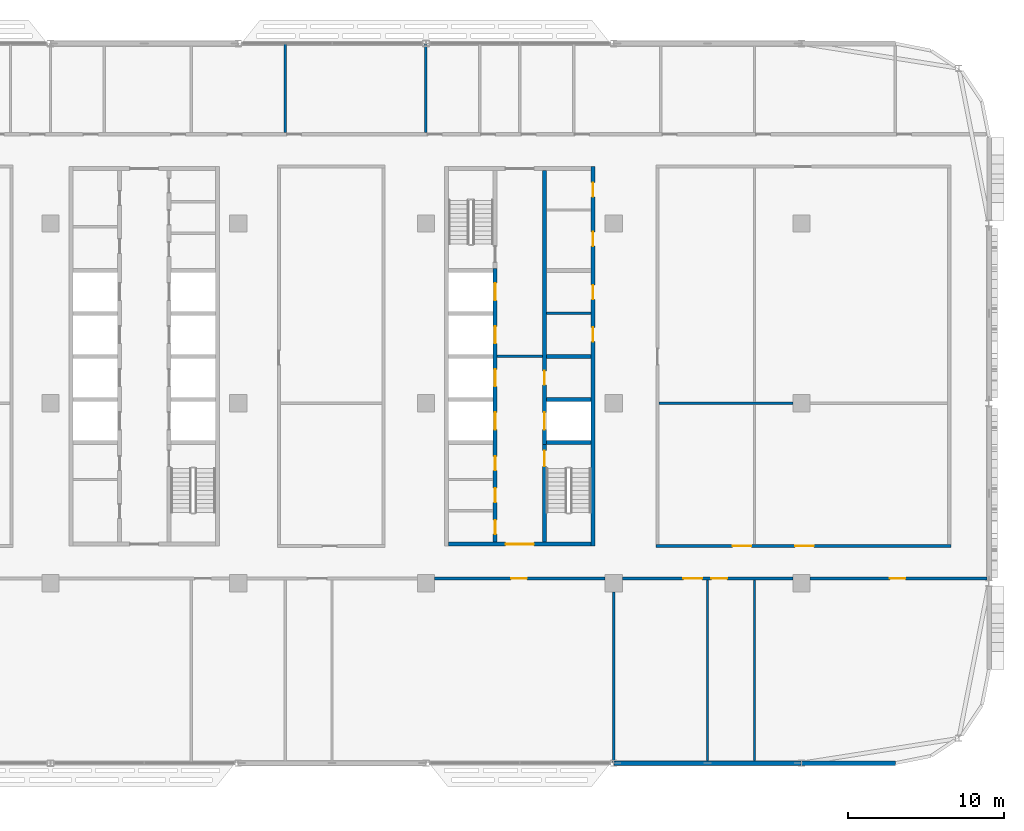
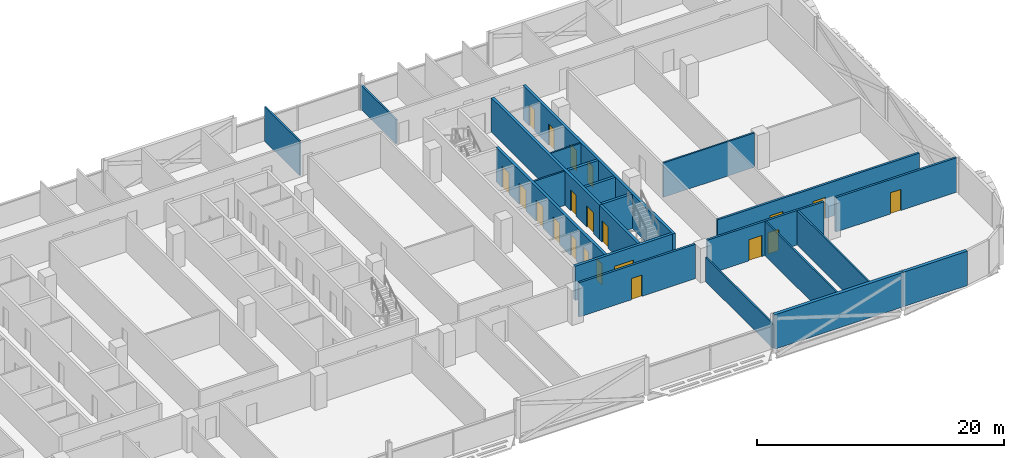
# One storey, part 17 of 30: 22 walls, 21 doors, 21 openings.
"""IFC4 building model written with IfcOpenShell, lengths in metres."""

from ifc_helpers import new_model, si_unit, direction, frame, frame_2d, origin, place, context, subcontext, project, spatial, rectangle, extrude, material, layer, layer_set, type_object, element, fill, save


model = new_model("IFC4")

# Units and contexts
model_context = context("Model", 3, precision=1e-05, world=origin(), true_north=direction((0.0, 1.0)))
body_context = subcontext(model_context, "Body", "Model", "MODEL_VIEW")
ifc_project = project(units=[si_unit("LENGTHUNIT", "METRE"), si_unit("AREAUNIT", "SQUARE_METRE"), si_unit("VOLUMEUNIT", "CUBIC_METRE"), si_unit("PLANEANGLEUNIT", "RADIAN"), si_unit("MASSUNIT", "GRAM", prefix="KILO")], contexts=[model_context])

# Site, building, storey
site_placement = place(None, origin())
site = spatial("IfcSite", under=ifc_project, at=site_placement, CompositionType="ELEMENT")
building_placement = place(site_placement, origin())
building = spatial("IfcBuilding", under=site, at=building_placement, Name="Mahtab Terrace Research Tower", CompositionType="ELEMENT")
storey_placement = place(building_placement, frame((0.0, 0.0, 220.5)))
storey = spatial("IfcBuildingStorey", under=building, at=storey_placement, Name="L53", CompositionType="ELEMENT", Elevation=220.5)

# Walls
ifc_material_1 = material(Name="Gypsum board partition")
ifc_layer_1 = layer(ifc_material_1, 0.14990234375)
ifc_layer_set_1 = layer_set([ifc_layer_1], Name="Core partition 150")
wall_type_1 = type_object("IfcWallType", Name="Core partition 150", PredefinedType="PARTITIONING", material=ifc_layer_set_1)
wall_1_placement = place(storey_placement, frame((22.550048828125, 3.0, 0.0), z_axis=(0.0, 0.0, 1.0), x_axis=(1.0, 0.0, 0.0)))
element("IfcWall", 1, at=wall_1_placement, inside=storey, type_object=wall_type_1, Name="Core wall C ffl", PredefinedType="PARTITIONING", context=body_context, shape_type="SweptSolid", body=[
    extrude(rectangle(XDim=2.89990234375, YDim=0.14990234375, at=frame_2d((1.449951171875, 0.0))), origin(), (0.0, 0.0, 1.0), 3.39990234375),
])
wall_2_placement = place(storey_placement, frame((25.699951171875, 5.75, 0.0), z_axis=(0.0, 0.0, 1.0), x_axis=(1.0, 0.0, 0.0)))
element("IfcWall", 2, at=wall_2_placement, inside=storey, type_object=wall_type_1, Name="Core wall C pEL275", PredefinedType="PARTITIONING", context=body_context, shape_type="SweptSolid", body=[
    extrude(rectangle(XDim=2.85009765625, YDim=0.14990234375, at=frame_2d((1.425048828125, 0.0))), origin(), (0.0, 0.0, 1.0), 3.39990234375),
])

# Wall, openings, doors
ifc_material_2 = material(Name="Concrete C70/85", Category="concrete")
ifc_layer_2 = layer(ifc_material_2, 0.25)
ifc_layer_set_2 = layer_set([ifc_layer_2], Name="Core wall 250")
wall_type_2 = type_object("IfcWallType", Name="Core wall 250", PredefinedType="SOLIDWALL", material=ifc_layer_set_2)
wall_3_placement = place(storey_placement, frame((28.675048828125, -9.125, 0.0), z_axis=(0.0, 0.0, 1.0), x_axis=(0.0, 1.0, 0.0)))
wall_3 = element("IfcWall", 3, at=wall_3_placement, inside=storey, type_object=wall_type_2, Name="Core wall C outerE", PredefinedType="SOLIDWALL", context=body_context, shape_type="SweptSolid", body=[
    extrude(rectangle(XDim=24.25, YDim=0.25, at=frame_2d((12.125, 0.0))), origin(), (0.0, 0.0, 1.0), 3.39990234375),
])
opening_1_placement = place(wall_3_placement, frame((13.074951171875, 0.0, 0.0)))
opening_1 = element("IfcOpeningElement", 4, at=opening_1_placement, cuts=wall_3, Name="Opening C-R2", PredefinedType="OPENING", context=body_context, shape_type="SweptSolid", body=[
    extrude(rectangle(XDim=0.89990234375, YDim=2.10009765625, at=frame_2d((0.449951171875, 1.050048828125))), frame((0.0, 0.135009765625, 0.0), z_axis=(0.0, -1.0, 0.0), x_axis=(1.0, 0.0, 0.0)), (0.0, 0.0, 1.0), 0.27001953125),
])
opening_2_placement = place(wall_3_placement, frame((15.77490234375, 0.0, 0.0)))
opening_2 = element("IfcOpeningElement", 5, at=opening_2_placement, cuts=wall_3, Name="Opening C-R3", PredefinedType="OPENING", context=body_context, shape_type="SweptSolid", body=[
    extrude(rectangle(XDim=0.89990234375, YDim=2.10009765625, at=frame_2d((0.449951171875, 1.050048828125))), frame((0.0, 0.135009765625, 0.0), z_axis=(0.0, -1.0, 0.0), x_axis=(1.0, 0.0, 0.0)), (0.0, 0.0, 1.0), 0.27001953125),
])
opening_3_placement = place(wall_3_placement, frame((19.175048828125, 0.0, 0.0)))
opening_3 = element("IfcOpeningElement", 6, at=opening_3_placement, cuts=wall_3, Name="Opening C-R7", PredefinedType="OPENING", context=body_context, shape_type="SweptSolid", body=[
    extrude(rectangle(XDim=0.89990234375, YDim=2.10009765625, at=frame_2d((0.449951171875, 1.050048828125))), frame((0.0, 0.135009765625, 0.0), z_axis=(0.0, -1.0, 0.0), x_axis=(1.0, 0.0, 0.0)), (0.0, 0.0, 1.0), 0.27001953125),
])
opening_4_placement = place(wall_3_placement, frame((22.327392578125, 0.0, 0.0)))
opening_4 = element("IfcOpeningElement", 7, at=opening_4_placement, cuts=wall_3, Name="Opening C-R8", PredefinedType="OPENING", context=body_context, shape_type="SweptSolid", body=[
    extrude(rectangle(XDim=0.89990234375, YDim=2.10009765625, at=frame_2d((0.449951171875, 1.050048828125))), frame((0.0, 0.135009765625, 0.0), z_axis=(0.0, -1.0, 0.0), x_axis=(1.0, 0.0, 0.0)), (0.0, 0.0, 1.0), 0.27001953125),
])
ifc_material_3 = material(Name="Steel fire door", Category="steel")
door_type_1 = type_object("IfcDoorType", Name="Room door 900x2100 1 HR", OperationType="NOTDEFINED", PredefinedType="DOOR", material=ifc_material_3)
door_1_placement = place(opening_1_placement, origin())
door_1 = element("IfcDoor", 8, at=door_1_placement, inside=storey, type_object=door_type_1, Name="Document store door", OperationType="SINGLE_SWING_RIGHT", OverallHeight=2.10009765625, OverallWidth=0.89990234375, PredefinedType="DOOR", context=body_context, shape_type="SweptSolid", body=[
    extrude(rectangle(XDim=0.89990234375, YDim=2.10009765625, at=frame_2d((0.449951171875, 1.050048828125))), frame((0.0, 0.02490234375, 0.0), z_axis=(0.0, -1.0, 0.0), x_axis=(1.0, 0.0, 0.0)), (0.0, 0.0, 1.0), 0.050048828125),
])
fill(opening_1, door_1)
door_2_placement = place(opening_2_placement, origin())
door_2 = element("IfcDoor", 9, at=door_2_placement, inside=storey, type_object=door_type_1, Name="IT equipment room door", OperationType="SINGLE_SWING_LEFT", OverallHeight=2.10009765625, OverallWidth=0.89990234375, PredefinedType="DOOR", context=body_context, shape_type="SweptSolid", body=[
    extrude(rectangle(XDim=0.89990234375, YDim=2.10009765625, at=frame_2d((0.449951171875, 1.050048828125))), frame((0.0, 0.02490234375, 0.0), z_axis=(0.0, -1.0, 0.0), x_axis=(1.0, 0.0, 0.0)), (0.0, 0.0, 1.0), 0.050048828125),
])
fill(opening_2, door_2)
door_3_placement = place(opening_3_placement, origin())
door_3 = element("IfcDoor", 10, at=door_3_placement, inside=storey, type_object=door_type_1, Name="Pantry door", OperationType="SINGLE_SWING_LEFT", OverallHeight=2.10009765625, OverallWidth=0.89990234375, PredefinedType="DOOR", context=body_context, shape_type="SweptSolid", body=[
    extrude(rectangle(XDim=0.89990234375, YDim=2.10009765625, at=frame_2d((0.449951171875, 1.050048828125))), frame((0.0, 0.02490234375, 0.0), z_axis=(0.0, -1.0, 0.0), x_axis=(1.0, 0.0, 0.0)), (0.0, 0.0, 1.0), 0.050048828125),
])
fill(opening_3, door_3)
door_4_placement = place(opening_4_placement, origin())
door_4 = element("IfcDoor", 11, at=door_4_placement, inside=storey, type_object=door_type_1, Name="Linen store door", OperationType="SINGLE_SWING_RIGHT", OverallHeight=2.10009765625, OverallWidth=0.89990234375, PredefinedType="DOOR", context=body_context, shape_type="SweptSolid", body=[
    extrude(rectangle(XDim=0.89990234375, YDim=2.10009765625, at=frame_2d((0.449951171875, 1.050048828125))), frame((0.0, 0.02490234375, 0.0), z_axis=(0.0, -1.0, 0.0), x_axis=(1.0, 0.0, 0.0)), (0.0, 0.0, 1.0), 0.050048828125),
])
fill(opening_4, door_4)

# Wall, opening, door
wall_4_placement = place(storey_placement, frame((28.550048828125, -9.0, 0.0), z_axis=(0.0, 0.0, 1.0), x_axis=(-1.0, 0.0, 0.0)))
wall_4 = element("IfcWall", 12, at=wall_4_placement, inside=storey, type_object=wall_type_2, Name="Core wall C endS", PredefinedType="SOLIDWALL", context=body_context, shape_type="SweptSolid", body=[
    extrude(rectangle(XDim=9.10009765625, YDim=0.25, at=frame_2d((4.550048828125, 0.0))), origin(), (0.0, 0.0, 1.0), 3.39990234375),
])
opening_5_placement = place(wall_4_placement, frame((3.64990234375, 0.0, 0.0)))
opening_5 = element("IfcOpeningElement", 13, at=opening_5_placement, cuts=wall_4, Name="Opening C-S1", PredefinedType="OPENING", context=body_context, shape_type="SweptSolid", body=[
    extrude(rectangle(XDim=1.800048828125, YDim=2.10009765625, at=frame_2d((0.89990234375, 1.050048828125))), frame((0.0, 0.135009765625, 0.0), z_axis=(0.0, -1.0, 0.0), x_axis=(1.0, 0.0, 0.0)), (0.0, 0.0, 1.0), 0.27001953125),
])
door_type_2 = type_object("IfcDoorType", Name="Lobby double door 1800x2100 1 HR", OperationType="DOUBLE_DOOR_SINGLE_SWING", PredefinedType="DOOR", material=ifc_material_3)
door_5_placement = place(opening_5_placement, origin())
door_5 = element("IfcDoor", 14, at=door_5_placement, inside=storey, type_object=door_type_2, Name="Core entrance door C S", OperationType="DOUBLE_DOOR_SINGLE_SWING", OverallHeight=2.10009765625, OverallWidth=1.800048828125, PredefinedType="DOOR", context=body_context, shape_type="SweptSolid", body=[
    extrude(rectangle(XDim=1.800048828125, YDim=2.10009765625, at=frame_2d((0.89990234375, 1.050048828125))), frame((0.0, 0.02490234375, 0.0), z_axis=(0.0, -1.0, 0.0), x_axis=(1.0, 0.0, 0.0)), (0.0, 0.0, 1.0), 0.050048828125),
])
fill(opening_5, door_5)

# Wall, openings, doors
wall_5_placement = place(storey_placement, frame((22.425048828125, -8.875, 0.0), z_axis=(0.0, 0.0, 1.0), x_axis=(0.0, 1.0, 0.0)))
wall_5 = element("IfcWall", 15, at=wall_5_placement, inside=storey, type_object=wall_type_2, Name="Core wall C innerWSL", PredefinedType="SOLIDWALL", context=body_context, shape_type="SweptSolid", body=[
    extrude(rectangle(XDim=17.5, YDim=0.25, at=frame_2d((8.75, 0.0))), origin(), (0.0, 0.0, 1.0), 3.39990234375),
])
opening_6_placement = place(wall_5_placement, frame((7.199951171875, 0.0, 0.0)))
opening_6 = element("IfcOpeningElement", 16, at=opening_6_placement, cuts=wall_5, Name="Opening LD17-L53", PredefinedType="OPENING", context=body_context, shape_type="SweptSolid", body=[
    extrude(rectangle(XDim=1.10009765625, YDim=2.10009765625, at=frame_2d((0.550048828125, 1.050048828125))), frame((0.0, 0.135009765625, 0.0), z_axis=(0.0, -1.0, 0.0), x_axis=(1.0, 0.0, 0.0)), (0.0, 0.0, 1.0), 0.27001953125),
])
opening_7_placement = place(wall_5_placement, frame((9.949951171875, 0.0, 0.0)))
opening_7 = element("IfcOpeningElement", 17, at=opening_7_placement, cuts=wall_5, Name="Opening LD18-L53", PredefinedType="OPENING", context=body_context, shape_type="SweptSolid", body=[
    extrude(rectangle(XDim=1.10009765625, YDim=2.10009765625, at=frame_2d((0.550048828125, 1.050048828125))), frame((0.0, 0.135009765625, 0.0), z_axis=(0.0, -1.0, 0.0), x_axis=(1.0, 0.0, 0.0)), (0.0, 0.0, 1.0), 0.27001953125),
])
opening_8_placement = place(wall_5_placement, frame((12.699951171875, 0.0, 0.0)))
opening_8 = element("IfcOpeningElement", 18, at=opening_8_placement, cuts=wall_5, Name="Opening LD19-L53", PredefinedType="OPENING", context=body_context, shape_type="SweptSolid", body=[
    extrude(rectangle(XDim=1.10009765625, YDim=2.10009765625, at=frame_2d((0.550048828125, 1.050048828125))), frame((0.0, 0.135009765625, 0.0), z_axis=(0.0, -1.0, 0.0), x_axis=(1.0, 0.0, 0.0)), (0.0, 0.0, 1.0), 0.27001953125),
])
opening_9_placement = place(wall_5_placement, frame((15.449951171875, 0.0, 0.0)))
opening_9 = element("IfcOpeningElement", 19, at=opening_9_placement, cuts=wall_5, Name="Opening LD20-L53", PredefinedType="OPENING", context=body_context, shape_type="SweptSolid", body=[
    extrude(rectangle(XDim=1.10009765625, YDim=2.10009765625, at=frame_2d((0.550048828125, 1.050048828125))), frame((0.0, 0.135009765625, 0.0), z_axis=(0.0, -1.0, 0.0), x_axis=(1.0, 0.0, 0.0)), (0.0, 0.0, 1.0), 0.27001953125),
])
opening_10_placement = place(wall_5_placement, frame((0.512451171875, 0.0, 0.0)))
opening_10 = element("IfcOpeningElement", 20, at=opening_10_placement, cuts=wall_5, Name="Opening C-R4", PredefinedType="OPENING", context=body_context, shape_type="SweptSolid", body=[
    extrude(rectangle(XDim=0.89990234375, YDim=2.10009765625, at=frame_2d((0.449951171875, 1.050048828125))), frame((0.0, 0.135009765625, 0.0), z_axis=(0.0, -1.0, 0.0), x_axis=(1.0, 0.0, 0.0)), (0.0, 0.0, 1.0), 0.27001953125),
])
opening_11_placement = place(wall_5_placement, frame((2.550048828125, 0.0, 0.0)))
opening_11 = element("IfcOpeningElement", 21, at=opening_11_placement, cuts=wall_5, Name="Opening C-R5", PredefinedType="OPENING", context=body_context, shape_type="SweptSolid", body=[
    extrude(rectangle(XDim=0.89990234375, YDim=2.10009765625, at=frame_2d((0.449951171875, 1.050048828125))), frame((0.0, 0.135009765625, 0.0), z_axis=(0.0, -1.0, 0.0), x_axis=(1.0, 0.0, 0.0)), (0.0, 0.0, 1.0), 0.27001953125),
])
opening_12_placement = place(wall_5_placement, frame((4.58740234375, 0.0, 0.0)))
opening_12 = element("IfcOpeningElement", 22, at=opening_12_placement, cuts=wall_5, Name="Opening C-R6", PredefinedType="OPENING", context=body_context, shape_type="SweptSolid", body=[
    extrude(rectangle(XDim=0.89990234375, YDim=2.10009765625, at=frame_2d((0.449951171875, 1.050048828125))), frame((0.0, 0.135009765625, 0.0), z_axis=(0.0, -1.0, 0.0), x_axis=(1.0, 0.0, 0.0)), (0.0, 0.0, 1.0), 0.27001953125),
])
ifc_material_4 = material(Name="Stainless steel AISI 304", Category="steel")
door_type_3 = type_object("IfcDoorType", Name="Landing door 1100x2100", OperationType="DOUBLE_DOOR_SLIDING", PredefinedType="DOOR", material=ifc_material_4)
door_6_placement = place(opening_6_placement, origin())
door_6 = element("IfcDoor", 23, at=door_6_placement, inside=storey, type_object=door_type_3, Name="Landing door SV1 L53", OperationType="DOUBLE_DOOR_SLIDING", OverallHeight=2.10009765625, OverallWidth=1.10009765625, PredefinedType="DOOR", context=body_context, shape_type="SweptSolid", body=[
    extrude(rectangle(XDim=1.10009765625, YDim=2.10009765625, at=frame_2d((0.550048828125, 1.050048828125))), frame((0.0, 0.02490234375, 0.0), z_axis=(0.0, -1.0, 0.0), x_axis=(1.0, 0.0, 0.0)), (0.0, 0.0, 1.0), 0.050048828125),
])
fill(opening_6, door_6)
door_7_placement = place(opening_7_placement, origin())
door_7 = element("IfcDoor", 24, at=door_7_placement, inside=storey, type_object=door_type_3, Name="Landing door SV2 L53", OperationType="DOUBLE_DOOR_SLIDING", OverallHeight=2.10009765625, OverallWidth=1.10009765625, PredefinedType="DOOR", context=body_context, shape_type="SweptSolid", body=[
    extrude(rectangle(XDim=1.10009765625, YDim=2.10009765625, at=frame_2d((0.550048828125, 1.050048828125))), frame((0.0, 0.02490234375, 0.0), z_axis=(0.0, -1.0, 0.0), x_axis=(1.0, 0.0, 0.0)), (0.0, 0.0, 1.0), 0.050048828125),
])
fill(opening_7, door_7)
door_8_placement = place(opening_8_placement, origin())
door_8 = element("IfcDoor", 25, at=door_8_placement, inside=storey, type_object=door_type_3, Name="Landing door FF1 L53", OperationType="DOUBLE_DOOR_SLIDING", OverallHeight=2.10009765625, OverallWidth=1.10009765625, PredefinedType="DOOR", context=body_context, shape_type="SweptSolid", body=[
    extrude(rectangle(XDim=1.10009765625, YDim=2.10009765625, at=frame_2d((0.550048828125, 1.050048828125))), frame((0.0, 0.02490234375, 0.0), z_axis=(0.0, -1.0, 0.0), x_axis=(1.0, 0.0, 0.0)), (0.0, 0.0, 1.0), 0.050048828125),
])
fill(opening_8, door_8)
door_9_placement = place(opening_9_placement, origin())
door_9 = element("IfcDoor", 26, at=door_9_placement, inside=storey, type_object=door_type_3, Name="Landing door FF2 L53", OperationType="DOUBLE_DOOR_SLIDING", OverallHeight=2.10009765625, OverallWidth=1.10009765625, PredefinedType="DOOR", context=body_context, shape_type="SweptSolid", body=[
    extrude(rectangle(XDim=1.10009765625, YDim=2.10009765625, at=frame_2d((0.550048828125, 1.050048828125))), frame((0.0, 0.02490234375, 0.0), z_axis=(0.0, -1.0, 0.0), x_axis=(1.0, 0.0, 0.0)), (0.0, 0.0, 1.0), 0.050048828125),
])
fill(opening_9, door_9)
door_10_placement = place(opening_10_placement, origin())
door_10 = element("IfcDoor", 27, at=door_10_placement, inside=storey, type_object=door_type_1, Name="Male WC door", OperationType="SINGLE_SWING_RIGHT", OverallHeight=2.10009765625, OverallWidth=0.89990234375, PredefinedType="DOOR", context=body_context, shape_type="SweptSolid", body=[
    extrude(rectangle(XDim=0.89990234375, YDim=2.10009765625, at=frame_2d((0.449951171875, 1.050048828125))), frame((0.0, 0.02490234375, 0.0), z_axis=(0.0, -1.0, 0.0), x_axis=(1.0, 0.0, 0.0)), (0.0, 0.0, 1.0), 0.050048828125),
])
fill(opening_10, door_10)
door_11_placement = place(opening_11_placement, origin())
door_11 = element("IfcDoor", 28, at=door_11_placement, inside=storey, type_object=door_type_1, Name="Female WC door", OperationType="SINGLE_SWING_LEFT", OverallHeight=2.10009765625, OverallWidth=0.89990234375, PredefinedType="DOOR", context=body_context, shape_type="SweptSolid", body=[
    extrude(rectangle(XDim=0.89990234375, YDim=2.10009765625, at=frame_2d((0.449951171875, 1.050048828125))), frame((0.0, 0.02490234375, 0.0), z_axis=(0.0, -1.0, 0.0), x_axis=(1.0, 0.0, 0.0)), (0.0, 0.0, 1.0), 0.050048828125),
])
fill(opening_11, door_11)
door_12_placement = place(opening_12_placement, origin())
door_12 = element("IfcDoor", 29, at=door_12_placement, inside=storey, type_object=door_type_1, Name="Accessible WC door", OperationType="SINGLE_SWING_RIGHT", OverallHeight=2.10009765625, OverallWidth=0.89990234375, PredefinedType="DOOR", context=body_context, shape_type="SweptSolid", body=[
    extrude(rectangle(XDim=0.89990234375, YDim=2.10009765625, at=frame_2d((0.449951171875, 1.050048828125))), frame((0.0, 0.02490234375, 0.0), z_axis=(0.0, -1.0, 0.0), x_axis=(1.0, 0.0, 0.0)), (0.0, 0.0, 1.0), 0.050048828125),
])
fill(opening_12, door_12)

# Wall, opening, door
wall_6_placement = place(storey_placement, frame((25.574951171875, -8.875, 0.0), z_axis=(0.0, 0.0, 1.0), x_axis=(0.0, 1.0, 0.0)))
wall_6 = element("IfcWall", 30, at=wall_6_placement, inside=storey, type_object=wall_type_2, Name="Core wall C innerES", PredefinedType="SOLIDWALL", context=body_context, shape_type="SweptSolid", body=[
    extrude(rectangle(XDim=6.25, YDim=0.25, at=frame_2d((3.125, 0.0))), origin(), (0.0, 0.0, 1.0), 3.39990234375),
])
opening_13_placement = place(wall_6_placement, frame((4.85009765625, 0.0, 0.0)))
opening_13 = element("IfcOpeningElement", 31, at=opening_13_placement, cuts=wall_6, Name="Opening C-ST4", PredefinedType="OPENING", context=body_context, shape_type="SweptSolid", body=[
    extrude(rectangle(XDim=1.0, YDim=2.10009765625, at=frame_2d((0.5, 1.050048828125))), frame((0.0, 0.135009765625, 0.0), z_axis=(0.0, -1.0, 0.0), x_axis=(1.0, 0.0, 0.0)), (0.0, 0.0, 1.0), 0.27001953125),
])
door_type_4 = type_object("IfcDoorType", Name="Stair door 1000x2100 1.5 HR", OperationType="NOTDEFINED", PredefinedType="DOOR", material=ifc_material_3)
door_13_placement = place(opening_13_placement, origin())
door_13 = element("IfcDoor", 32, at=door_13_placement, inside=storey, type_object=door_type_4, Name="Stair door ST4 L53", OperationType="SINGLE_SWING_RIGHT", OverallHeight=2.10009765625, OverallWidth=1.0, PredefinedType="DOOR", context=body_context, shape_type="SweptSolid", body=[
    extrude(rectangle(XDim=1.0, YDim=2.10009765625, at=frame_2d((0.5, 1.050048828125))), frame((0.0, 0.02490234375, 0.0), z_axis=(0.0, -1.0, 0.0), x_axis=(1.0, 0.0, 0.0)), (0.0, 0.0, 1.0), 0.050048828125),
])
fill(opening_13, door_13)

# Wall, openings, doors
wall_7_placement = place(storey_placement, frame((25.574951171875, 14.875, 0.0), z_axis=(0.0, 0.0, 1.0), x_axis=(0.0, -1.0, 0.0)))
wall_7 = element("IfcWall", 33, at=wall_7_placement, inside=storey, type_object=wall_type_2, Name="Core wall C innerELN", PredefinedType="SOLIDWALL", context=body_context, shape_type="SweptSolid", body=[
    extrude(rectangle(XDim=17.5, YDim=0.25, at=frame_2d((8.75, 0.0))), origin(), (0.0, 0.0, 1.0), 3.39990234375),
])
opening_14_placement = place(wall_7_placement, frame((15.449951171875, 0.0, 0.0)))
opening_14 = element("IfcOpeningElement", 34, at=opening_14_placement, cuts=wall_7, Name="Opening LD21-L53", PredefinedType="OPENING", context=body_context, shape_type="SweptSolid", body=[
    extrude(rectangle(XDim=1.10009765625, YDim=2.10009765625, at=frame_2d((0.550048828125, 1.050048828125))), frame((0.0, 0.135009765625, 0.0), z_axis=(0.0, -1.0, 0.0), x_axis=(1.0, 0.0, 0.0)), (0.0, 0.0, 1.0), 0.27001953125),
])
opening_15_placement = place(wall_7_placement, frame((12.800048828125, 0.0, 0.0)))
opening_15 = element("IfcOpeningElement", 35, at=opening_15_placement, cuts=wall_7, Name="Opening C-R1", PredefinedType="OPENING", context=body_context, shape_type="SweptSolid", body=[
    extrude(rectangle(XDim=0.89990234375, YDim=2.10009765625, at=frame_2d((0.449951171875, 1.050048828125))), frame((0.0, 0.135009765625, 0.0), z_axis=(0.0, -1.0, 0.0), x_axis=(1.0, 0.0, 0.0)), (0.0, 0.0, 1.0), 0.27001953125),
])
door_14_placement = place(opening_14_placement, origin())
door_14 = element("IfcDoor", 36, at=door_14_placement, inside=storey, type_object=door_type_3, Name="Landing door SV3 L53", OperationType="DOUBLE_DOOR_SLIDING", OverallHeight=2.10009765625, OverallWidth=1.10009765625, PredefinedType="DOOR", context=body_context, shape_type="SweptSolid", body=[
    extrude(rectangle(XDim=1.10009765625, YDim=2.10009765625, at=frame_2d((0.550048828125, 1.050048828125))), frame((0.0, 0.02490234375, 0.0), z_axis=(0.0, -1.0, 0.0), x_axis=(1.0, 0.0, 0.0)), (0.0, 0.0, 1.0), 0.050048828125),
])
fill(opening_14, door_14)
door_15_placement = place(opening_15_placement, origin())
door_15 = element("IfcDoor", 37, at=door_15_placement, inside=storey, type_object=door_type_1, Name="Plant room door", OperationType="SINGLE_SWING_LEFT", OverallHeight=2.10009765625, OverallWidth=0.89990234375, PredefinedType="DOOR", context=body_context, shape_type="SweptSolid", body=[
    extrude(rectangle(XDim=0.89990234375, YDim=2.10009765625, at=frame_2d((0.449951171875, 1.050048828125))), frame((0.0, 0.02490234375, 0.0), z_axis=(0.0, -1.0, 0.0), x_axis=(1.0, 0.0, 0.0)), (0.0, 0.0, 1.0), 0.050048828125),
])
fill(opening_15, door_15)

# Walls
for number, where, z_axis, x_axis, name in (
    (38, (25.699951171875, -2.5, 0.0), (0.0, 0.0, 1.0), (1.0, 0.0, 0.0), "Core wall C divE0"),
    (39, (25.699951171875, 0.25, 0.0), (0.0, 0.0, 1.0), (1.0, 0.0, 0.0), "Core wall C divE1"),
    (40, (25.699951171875, 3.0, 0.0), (0.0, 0.0, 1.0), (1.0, 0.0, 0.0), "Core wall C divE2"),
):
    element("IfcWall", number, at=place(storey_placement, frame(where, z_axis=z_axis, x_axis=x_axis)), inside=storey, type_object=wall_type_2, Name=name, PredefinedType="SOLIDWALL", context=body_context, shape_type="SweptSolid", body=[
        extrude(rectangle(XDim=2.85009765625, YDim=0.25, at=frame_2d((1.425048828125, 0.0))), origin(), (0.0, 0.0, 1.0), 3.39990234375),
    ])
ifc_material_5 = material(Name="Black aluminium cladding panel", Category="aluminium")
ifc_layer_3 = layer(ifc_material_5, 0.300048828125)
ifc_layer_set_3 = layer_set([ifc_layer_3], Name="Opaque facade wall 300")
wall_type_3 = type_object("IfcWallType", Name="Opaque facade wall 300", PredefinedType="NOTDEFINED", material=ifc_layer_set_3)
wall_8_placement = place(storey_placement, frame((30.012451171875, -23.0, 0.0), z_axis=(0.0, 0.0, 1.0), x_axis=(1.0, 0.0, 0.0)))
element("IfcWall", 41, at=wall_8_placement, inside=storey, type_object=wall_type_3, Name="Opaque facade wall L53 S29", PredefinedType="NOTDEFINED", context=body_context, shape_type="SweptSolid", body=[
    extrude(rectangle(XDim=11.97509765625, YDim=0.300048828125, at=frame_2d((5.987548828125, 0.0))), origin(), (0.0, 0.0, 1.0), 3.39990234375),
])
wall_9_placement = place(storey_placement, frame((42.012451171875, -23.0, 0.0), z_axis=(0.0, 0.0, 1.0), x_axis=(1.0, 0.0, 0.0)))
element("IfcWall", 42, at=wall_9_placement, inside=storey, type_object=wall_type_3, Name="Opaque facade wall L53 S30", PredefinedType="NOTDEFINED", context=body_context, shape_type="SweptSolid", body=[
    extrude(rectangle(XDim=5.987548828125, YDim=0.300048828125, at=frame_2d((2.99365234375, 0.0))), origin(), (0.0, 0.0, 1.0), 3.39990234375),
])

# Wall, opening, door
ifc_material_6 = material(Name="Gypsum board corridor wall on steel studs", Category="steel")
ifc_layer_4 = layer(ifc_material_6, 0.199951171875)
ifc_layer_set_4 = layer_set([ifc_layer_4], Name="WALL CORRIDOR 200")
wall_type_4 = type_object("IfcWallType", Name="WALL CORRIDOR 200", PredefinedType="PARTITIONING", material=ifc_layer_set_4)
wall_10_placement = place(storey_placement, frame((18.550048828125, -11.199951171875, 0.0), z_axis=(0.0, 0.0, 1.0), x_axis=(1.0, 0.0, 0.0)))
wall_10 = element("IfcWall", 43, at=wall_10_placement, inside=storey, type_object=wall_type_4, Name="L53-W006", PredefinedType="PARTITIONING", context=body_context, shape_type="SweptSolid", body=[
    extrude(rectangle(XDim=10.89990234375, YDim=0.199951171875, at=frame_2d((5.449951171875, 0.0))), origin(), (0.0, 0.0, 1.0), 3.39990234375),
])
opening_16_placement = place(wall_10_placement, frame((4.89990234375, 0.0, 0.0)))
opening_16 = element("IfcOpeningElement", 44, at=opening_16_placement, cuts=wall_10, Name="Opening L53-107", PredefinedType="OPENING", context=body_context, shape_type="SweptSolid", body=[
    extrude(rectangle(XDim=1.0, YDim=2.10009765625, at=frame_2d((0.5, 1.050048828125))), frame((0.0, 0.10986328125, 0.0), z_axis=(0.0, -1.0, 0.0), x_axis=(1.0, 0.0, 0.0)), (0.0, 0.0, 1.0), 0.219970703125),
])
ifc_material_7 = material(Name="Timber door leaf in steel frame", Category="steel")
door_type_5 = type_object("IfcDoorType", Name="DOOR 1000X2100 FD30S", OperationType="SINGLE_SWING_LEFT", PredefinedType="DOOR", material=ifc_material_7)
door_16_placement = place(opening_16_placement, origin())
door_16 = element("IfcDoor", 45, at=door_16_placement, inside=storey, type_object=door_type_5, Name="Door L53-107", OperationType="SINGLE_SWING_RIGHT", OverallHeight=2.10009765625, OverallWidth=1.0, PredefinedType="DOOR", context=body_context, shape_type="SweptSolid", body=[
    extrude(rectangle(XDim=1.0, YDim=2.10009765625, at=frame_2d((0.5, 1.050048828125))), frame((0.0, 0.02490234375, 0.0), z_axis=(0.0, -1.0, 0.0), x_axis=(1.0, 0.0, 0.0)), (0.0, 0.0, 1.0), 0.050048828125),
])
fill(opening_16, door_16)

# Wall, openings, doors
wall_11_placement = place(storey_placement, frame((30.550048828125, -11.199951171875, 0.0), z_axis=(0.0, 0.0, 1.0), x_axis=(1.0, 0.0, 0.0)))
wall_11 = element("IfcWall", 46, at=wall_11_placement, inside=storey, type_object=wall_type_4, Name="L53-W007", PredefinedType="PARTITIONING", context=body_context, shape_type="SweptSolid", body=[
    extrude(rectangle(XDim=10.89990234375, YDim=0.199951171875, at=frame_2d((5.449951171875, 0.0))), origin(), (0.0, 0.0, 1.0), 3.39990234375),
])
opening_17_placement = place(wall_11_placement, frame((3.89990234375, 0.0, 0.0)))
opening_17 = element("IfcOpeningElement", 47, at=opening_17_placement, cuts=wall_11, Name="Opening L53-108", PredefinedType="OPENING", context=body_context, shape_type="SweptSolid", body=[
    extrude(rectangle(XDim=1.199951171875, YDim=2.10009765625, at=frame_2d((0.60009765625, 1.050048828125))), frame((0.0, 0.10986328125, 0.0), z_axis=(0.0, -1.0, 0.0), x_axis=(1.0, 0.0, 0.0)), (0.0, 0.0, 1.0), 0.219970703125),
])
opening_18_placement = place(wall_11_placement, frame((5.699951171875, 0.0, 0.0)))
opening_18 = element("IfcOpeningElement", 48, at=opening_18_placement, cuts=wall_11, Name="Opening L53-109", PredefinedType="OPENING", context=body_context, shape_type="SweptSolid", body=[
    extrude(rectangle(XDim=1.0, YDim=2.10009765625, at=frame_2d((0.5, 1.050048828125))), frame((0.0, 0.10986328125, 0.0), z_axis=(0.0, -1.0, 0.0), x_axis=(1.0, 0.0, 0.0)), (0.0, 0.0, 1.0), 0.219970703125),
])
door_17_placement = place(opening_18_placement, origin())
door_17 = element("IfcDoor", 49, at=door_17_placement, inside=storey, type_object=door_type_5, Name="Door L53-109", OperationType="SINGLE_SWING_LEFT", OverallHeight=2.10009765625, OverallWidth=1.0, PredefinedType="DOOR", context=body_context, shape_type="SweptSolid", body=[
    extrude(rectangle(XDim=1.0, YDim=2.10009765625, at=frame_2d((0.5, 1.050048828125))), frame((0.0, 0.02490234375, 0.0), z_axis=(0.0, -1.0, 0.0), x_axis=(1.0, 0.0, 0.0)), (0.0, 0.0, 1.0), 0.050048828125),
])
fill(opening_18, door_17)
door_type_6 = type_object("IfcDoorType", Name="DOOR 1200X2100 FD30S", OperationType="SINGLE_SWING_LEFT", PredefinedType="DOOR", material=ifc_material_7)
door_18_placement = place(opening_17_placement, origin())
door_18 = element("IfcDoor", 50, at=door_18_placement, inside=storey, type_object=door_type_6, Name="Door L53-108", OperationType="SINGLE_SWING_RIGHT", OverallHeight=2.10009765625, OverallWidth=1.199951171875, PredefinedType="DOOR", context=body_context, shape_type="SweptSolid", body=[
    extrude(rectangle(XDim=1.199951171875, YDim=2.10009765625, at=frame_2d((0.60009765625, 1.050048828125))), frame((0.0, 0.02490234375, 0.0), z_axis=(0.0, -1.0, 0.0), x_axis=(1.0, 0.0, 0.0)), (0.0, 0.0, 1.0), 0.050048828125),
])
fill(opening_17, door_18)

# Wall, opening, door
wall_12_placement = place(storey_placement, frame((42.550048828125, -11.199951171875, 0.0), z_axis=(0.0, 0.0, 1.0), x_axis=(1.0, 0.0, 0.0)))
wall_12 = element("IfcWall", 51, at=wall_12_placement, inside=storey, type_object=wall_type_4, Name="L53-W008", PredefinedType="PARTITIONING", context=body_context, shape_type="SweptSolid", body=[
    extrude(rectangle(XDim=11.300048828125, YDim=0.199951171875, at=frame_2d((5.64990234375, 0.0))), origin(), (0.0, 0.0, 1.0), 3.39990234375),
])
opening_19_placement = place(wall_12_placement, frame((5.10009765625, 0.0, 0.0)))
opening_19 = element("IfcOpeningElement", 52, at=opening_19_placement, cuts=wall_12, Name="Opening L53-110", PredefinedType="OPENING", context=body_context, shape_type="SweptSolid", body=[
    extrude(rectangle(XDim=1.0, YDim=2.10009765625, at=frame_2d((0.5, 1.050048828125))), frame((0.0, 0.10986328125, 0.0), z_axis=(0.0, -1.0, 0.0), x_axis=(1.0, 0.0, 0.0)), (0.0, 0.0, 1.0), 0.219970703125),
])
door_19_placement = place(opening_19_placement, origin())
door_19 = element("IfcDoor", 53, at=door_19_placement, inside=storey, type_object=door_type_5, Name="Door L53-110", OperationType="SINGLE_SWING_RIGHT", OverallHeight=2.10009765625, OverallWidth=1.0, PredefinedType="DOOR", context=body_context, shape_type="SweptSolid", body=[
    extrude(rectangle(XDim=1.0, YDim=2.10009765625, at=frame_2d((0.5, 1.050048828125))), frame((0.0, 0.02490234375, 0.0), z_axis=(0.0, -1.0, 0.0), x_axis=(1.0, 0.0, 0.0)), (0.0, 0.0, 1.0), 0.050048828125),
])
fill(opening_19, door_19)

# Wall, openings, doors
wall_13_placement = place(storey_placement, frame((32.699951171875, -9.125, 0.0), z_axis=(0.0, 0.0, 1.0), x_axis=(1.0, 0.0, 0.0)))
wall_13 = element("IfcWall", 54, at=wall_13_placement, inside=storey, type_object=wall_type_4, Name="L53-W012", PredefinedType="PARTITIONING", context=body_context, shape_type="SweptSolid", body=[
    extrude(rectangle(XDim=18.85009765625, YDim=0.199951171875, at=frame_2d((9.425048828125, 0.0))), origin(), (0.0, 0.0, 1.0), 3.39990234375),
])
opening_20_placement = place(wall_13_placement, frame((4.89990234375, 0.0, 0.0)))
opening_20 = element("IfcOpeningElement", 55, at=opening_20_placement, cuts=wall_13, Name="Opening L53-114", PredefinedType="OPENING", context=body_context, shape_type="SweptSolid", body=[
    extrude(rectangle(XDim=1.199951171875, YDim=2.10009765625, at=frame_2d((0.60009765625, 1.050048828125))), frame((0.0, 0.10986328125, 0.0), z_axis=(0.0, -1.0, 0.0), x_axis=(1.0, 0.0, 0.0)), (0.0, 0.0, 1.0), 0.219970703125),
])
opening_21_placement = place(wall_13_placement, frame((8.89990234375, 0.0, 0.0)))
opening_21 = element("IfcOpeningElement", 56, at=opening_21_placement, cuts=wall_13, Name="Opening L53-115", PredefinedType="OPENING", context=body_context, shape_type="SweptSolid", body=[
    extrude(rectangle(XDim=1.199951171875, YDim=2.10009765625, at=frame_2d((0.60009765625, 1.050048828125))), frame((0.0, 0.10986328125, 0.0), z_axis=(0.0, -1.0, 0.0), x_axis=(1.0, 0.0, 0.0)), (0.0, 0.0, 1.0), 0.219970703125),
])
door_20_placement = place(opening_20_placement, origin())
door_20 = element("IfcDoor", 57, at=door_20_placement, inside=storey, type_object=door_type_6, Name="Door L53-114", OperationType="SINGLE_SWING_LEFT", OverallHeight=2.10009765625, OverallWidth=1.199951171875, PredefinedType="DOOR", context=body_context, shape_type="SweptSolid", body=[
    extrude(rectangle(XDim=1.199951171875, YDim=2.10009765625, at=frame_2d((0.60009765625, 1.050048828125))), frame((0.0, 0.02490234375, 0.0), z_axis=(0.0, -1.0, 0.0), x_axis=(1.0, 0.0, 0.0)), (0.0, 0.0, 1.0), 0.050048828125),
])
fill(opening_20, door_20)
door_21_placement = place(opening_21_placement, origin())
door_21 = element("IfcDoor", 58, at=door_21_placement, inside=storey, type_object=door_type_6, Name="Door L53-115", OperationType="SINGLE_SWING_RIGHT", OverallHeight=2.10009765625, OverallWidth=1.199951171875, PredefinedType="DOOR", context=body_context, shape_type="SweptSolid", body=[
    extrude(rectangle(XDim=1.199951171875, YDim=2.10009765625, at=frame_2d((0.60009765625, 1.050048828125))), frame((0.0, 0.02490234375, 0.0), z_axis=(0.0, -1.0, 0.0), x_axis=(1.0, 0.0, 0.0)), (0.0, 0.0, 1.0), 0.050048828125),
])
fill(opening_21, door_21)

# Walls
ifc_material_8 = material(Name="Gypsum board partition on steel studs", Category="steel")
ifc_layer_5 = layer(ifc_material_8, 0.14990234375)
ifc_layer_set_5 = layer_set([ifc_layer_5], Name="WALL PARTITION 150")
wall_type_5 = type_object("IfcWallType", Name="WALL PARTITION 150", PredefinedType="PARTITIONING", material=ifc_layer_set_5)
wall_14_placement = place(storey_placement, frame((32.89990234375, 0.0, 0.0), z_axis=(0.0, 0.0, 1.0), x_axis=(1.0, 0.0, 0.0)))
element("IfcWall", 59, at=wall_14_placement, inside=storey, type_object=wall_type_5, Name="L53-W016", PredefinedType="PARTITIONING", context=body_context, shape_type="SweptSolid", body=[
    extrude(rectangle(XDim=8.550048828125, YDim=0.14990234375, at=frame_2d((4.27490234375, 0.0))), origin(), (0.0, 0.0, 1.0), 3.39990234375),
])
wall_15_placement = place(storey_placement, frame((9.0, 17.300048828125, 0.0), z_axis=(0.0, 0.0, 1.0), x_axis=(0.0, 1.0, 0.0)))
element("IfcWall", 60, at=wall_15_placement, inside=storey, type_object=wall_type_5, Name="L53-W041", PredefinedType="PARTITIONING", context=body_context, shape_type="SweptSolid", body=[
    extrude(rectangle(XDim=5.675048828125, YDim=0.14990234375, at=frame_2d((2.83740234375, 0.0))), origin(), (0.0, 0.0, 1.0), 3.39990234375),
])
wall_16_placement = place(storey_placement, frame((18.0, 17.300048828125, 0.0), z_axis=(0.0, 0.0, 1.0), x_axis=(0.0, 1.0, 0.0)))
element("IfcWall", 61, at=wall_16_placement, inside=storey, type_object=wall_type_5, Name="L53-W044", PredefinedType="PARTITIONING", context=body_context, shape_type="SweptSolid", body=[
    extrude(rectangle(XDim=5.675048828125, YDim=0.14990234375, at=frame_2d((2.83740234375, 0.0))), origin(), (0.0, 0.0, 1.0), 2.401123046875),
])
wall_17_placement = place(storey_placement, frame((30.0, -22.97509765625, 0.0), z_axis=(0.0, 0.0, 1.0), x_axis=(0.0, 1.0, 0.0)))
element("IfcWall", 62, at=wall_17_placement, inside=storey, type_object=wall_type_5, Name="L53-W048", PredefinedType="PARTITIONING", context=body_context, shape_type="SweptSolid", body=[
    extrude(rectangle(XDim=10.925048828125, YDim=0.14990234375, at=frame_2d((5.46240234375, 0.0))), origin(), (0.0, 0.0, 1.0), 2.401123046875),
])
for number, where, z_axis, x_axis, name in (
    (63, (36.0, -22.85009765625, 0.0), (0.0, 0.0, 1.0), (0.0, 1.0, 0.0), "L53-W051"),
    (64, (39.0, -22.85009765625, 0.0), (0.0, 0.0, 1.0), (0.0, 1.0, 0.0), "L53-W052"),
):
    element("IfcWall", number, at=place(storey_placement, frame(where, z_axis=z_axis, x_axis=x_axis)), inside=storey, type_object=wall_type_5, Name=name, PredefinedType="PARTITIONING", context=body_context, shape_type="SweptSolid", body=[
        extrude(rectangle(XDim=11.550048828125, YDim=0.14990234375, at=frame_2d((5.77490234375, 0.0))), origin(), (0.0, 0.0, 1.0), 3.39990234375),
    ])

save(model, "model.ifc")
